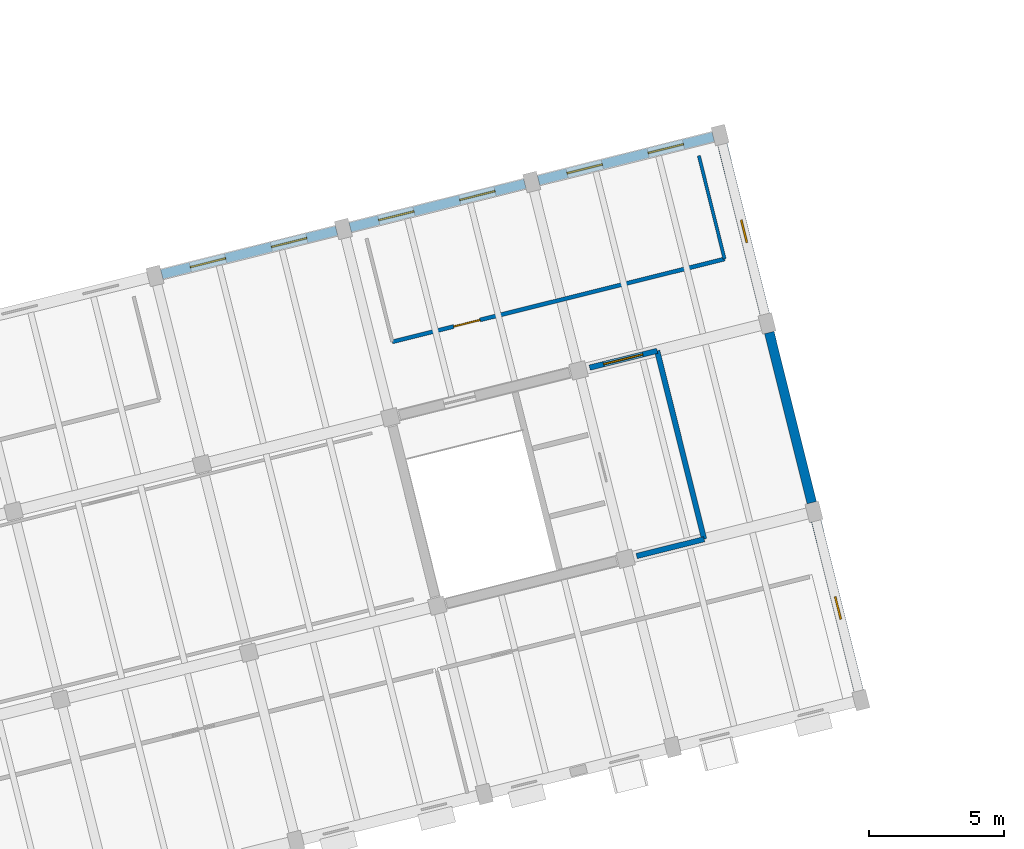
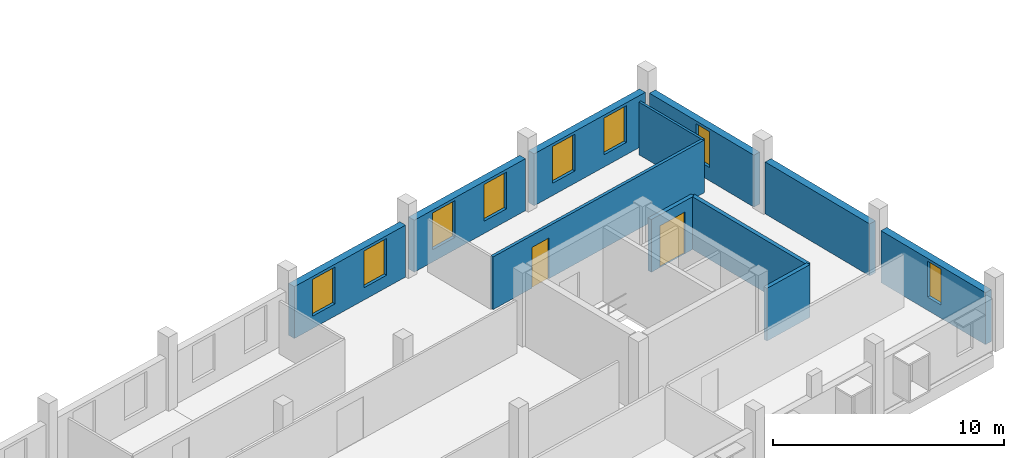
# One storey, part 8 of 14: 11 walls, 8 windows, 2 doors, 10 openings.
"""IFC4 building model written with IfcOpenShell, lengths in metres."""

from ifc_helpers import new_model, si_unit, direction, frame, frame_2d, origin, place, context, subcontext, project, spatial, rectangle, extrude, material, layer, layer_set, type_object, element, fill, save


model = new_model("IFC4")

# Units and contexts
model_context = context("Model", 3, precision=1e-05, world=origin(), true_north=direction((0.0, 1.0)))
body_context = subcontext(model_context, "Body", "Model", "MODEL_VIEW")
ifc_project = project(units=[si_unit("LENGTHUNIT", "METRE"), si_unit("AREAUNIT", "SQUARE_METRE"), si_unit("VOLUMEUNIT", "CUBIC_METRE"), si_unit("PLANEANGLEUNIT", "RADIAN"), si_unit("MASSUNIT", "GRAM", prefix="KILO")], contexts=[model_context])

# Site, building, storey
site_placement = place(None, origin())
site = spatial("IfcSite", under=ifc_project, at=site_placement, CompositionType="ELEMENT")
building_placement = place(site_placement, origin())
building = spatial("IfcBuilding", under=site, at=building_placement, Name="Qiaolan Assembly House", CompositionType="ELEMENT")
storey_placement = place(building_placement, frame((0.0, 0.0, 22.5)))
storey = spatial("IfcBuildingStorey", under=building, at=storey_placement, Name="L05", CompositionType="ELEMENT", Elevation=22.5)

# Wall, openings, windows
ifc_material_1 = material(Name="Honed pale limestone", Category="masonry")
ifc_layer_1 = layer(ifc_material_1, 0.360107421875)
ifc_layer_set_1 = layer_set([ifc_layer_1], Name="Honed pale limestone")
wall_type_1 = type_object("IfcWallType", Name="WAL-EXT-LIMESTONE-360", PredefinedType="SOLIDWALL", material=ifc_layer_set_1)
wall_1_placement = place(storey_placement, frame((72.44091796875, 31.346923828125, 0.0), z_axis=(0.0, 0.0, 1.0), x_axis=(-0.970297004388, -0.241916769314, 0.0)))
wall_1 = element("IfcWall", 1, at=wall_1_placement, inside=storey, type_object=wall_type_1, Name="EW-360 SE North court wall L05 bay 5", PredefinedType="SOLIDWALL", context=body_context, shape_type="SweptSolid", body=[
    extrude(rectangle(XDim=6.683837890625, YDim=0.360107421875, at=frame_2d((3.341796875, 0.0))), origin(), (0.0, 0.0, 1.0), 2.739990234375),
])
opening_1_placement = place(wall_1_placement, frame((1.14208984375, 0.0, 0.64990234375)))
opening_1 = element("IfcOpeningElement", 2, at=opening_1_placement, cuts=wall_1, Name="Opening WN-392", PredefinedType="OPENING", context=body_context, shape_type="SweptSolid", body=[
    extrude(rectangle(XDim=1.35009765625, YDim=1.93994140625, at=frame_2d((0.675048828125, 0.969970703125))), frame((0.0, 0.18994140625, 0.0), z_axis=(0.0, -1.0, 0.0), x_axis=(1.0, 0.0, 0.0)), (0.0, 0.0, 1.0), 0.380126953125),
])
opening_2_placement = place(wall_1_placement, frame((4.241943359375, 0.0, 0.64990234375)))
opening_2 = element("IfcOpeningElement", 3, at=opening_2_placement, cuts=wall_1, Name="Opening WN-393", PredefinedType="OPENING", context=body_context, shape_type="SweptSolid", body=[
    extrude(rectangle(XDim=1.35009765625, YDim=1.93994140625, at=frame_2d((0.675048828125, 0.969970703125))), frame((0.0, 0.18994140625, 0.0), z_axis=(0.0, -1.0, 0.0), x_axis=(1.0, 0.0, 0.0)), (0.0, 0.0, 1.0), 0.380126953125),
])
ifc_material_2 = material(Name="Low-E double insulating glass", Category="glass")
window_type_1 = type_object("IfcWindowType", Name="WIN-COURT-1350x2150", PartitioningType="DOUBLE_PANEL_VERTICAL", PredefinedType="WINDOW", material=ifc_material_2)
window_1_placement = place(opening_1_placement, origin())
window_1 = element("IfcWindow", 4, at=window_1_placement, inside=storey, type_object=window_type_1, Name="SE court window WN-392", OverallHeight=1.93994140625, OverallWidth=1.35009765625, PartitioningType="DOUBLE_PANEL_VERTICAL", PredefinedType="WINDOW", context=body_context, shape_type="SweptSolid", body=[
    extrude(rectangle(XDim=1.35009765625, YDim=1.93994140625, at=frame_2d((0.675048828125, 0.969970703125))), frame((0.0, 0.030029296875, 0.0), z_axis=(0.0, -1.0, 0.0), x_axis=(1.0, 0.0, 0.0)), (0.0, 0.0, 1.0), 0.06005859375),
])
fill(opening_1, window_1)
window_2_placement = place(opening_2_placement, origin())
window_2 = element("IfcWindow", 5, at=window_2_placement, inside=storey, type_object=window_type_1, Name="SE court window WN-393", OverallHeight=1.93994140625, OverallWidth=1.35009765625, PartitioningType="DOUBLE_PANEL_VERTICAL", PredefinedType="WINDOW", context=body_context, shape_type="SweptSolid", body=[
    extrude(rectangle(XDim=1.35009765625, YDim=1.93994140625, at=frame_2d((0.675048828125, 0.969970703125))), frame((0.0, 0.030029296875, 0.0), z_axis=(0.0, -1.0, 0.0), x_axis=(1.0, 0.0, 0.0)), (0.0, 0.0, 1.0), 0.06005859375),
])
fill(opening_2, window_2)

wall_2_placement = place(storey_placement, frame((79.427001953125, 33.0888671875, 0.0), z_axis=(0.0, 0.0, 1.0), x_axis=(-0.970297004388, -0.241916769314, 0.0)))
wall_2 = element("IfcWall", 6, at=wall_2_placement, inside=storey, type_object=wall_type_1, Name="EW-360 SE North court wall L05 bay 6", PredefinedType="SOLIDWALL", context=body_context, shape_type="SweptSolid", body=[
    extrude(rectangle(XDim=6.683837890625, YDim=0.360107421875, at=frame_2d((3.341796875, 0.0))), origin(), (0.0, 0.0, 1.0), 2.739990234375),
])
opening_3_placement = place(wall_2_placement, frame((1.14208984375, 0.0, 0.64990234375)))
opening_3 = element("IfcOpeningElement", 7, at=opening_3_placement, cuts=wall_2, Name="Opening WN-394", PredefinedType="OPENING", context=body_context, shape_type="SweptSolid", body=[
    extrude(rectangle(XDim=1.35009765625, YDim=1.93994140625, at=frame_2d((0.675048828125, 0.969970703125))), frame((0.0, 0.18994140625, 0.0), z_axis=(0.0, -1.0, 0.0), x_axis=(1.0, 0.0, 0.0)), (0.0, 0.0, 1.0), 0.380126953125),
])
opening_4_placement = place(wall_2_placement, frame((4.241943359375, 0.0, 0.64990234375)))
opening_4 = element("IfcOpeningElement", 8, at=opening_4_placement, cuts=wall_2, Name="Opening WN-395", PredefinedType="OPENING", context=body_context, shape_type="SweptSolid", body=[
    extrude(rectangle(XDim=1.35009765625, YDim=1.93994140625, at=frame_2d((0.675048828125, 0.969970703125))), frame((0.0, 0.18994140625, 0.0), z_axis=(0.0, -1.0, 0.0), x_axis=(1.0, 0.0, 0.0)), (0.0, 0.0, 1.0), 0.380126953125),
])
window_3_placement = place(opening_3_placement, origin())
window_3 = element("IfcWindow", 9, at=window_3_placement, inside=storey, type_object=window_type_1, Name="SE court window WN-394", OverallHeight=1.93994140625, OverallWidth=1.35009765625, PartitioningType="DOUBLE_PANEL_VERTICAL", PredefinedType="WINDOW", context=body_context, shape_type="SweptSolid", body=[
    extrude(rectangle(XDim=1.35009765625, YDim=1.93994140625, at=frame_2d((0.675048828125, 0.969970703125))), frame((0.0, 0.030029296875, 0.0), z_axis=(0.0, -1.0, 0.0), x_axis=(1.0, 0.0, 0.0)), (0.0, 0.0, 1.0), 0.06005859375),
])
fill(opening_3, window_3)
window_4_placement = place(opening_4_placement, origin())
window_4 = element("IfcWindow", 10, at=window_4_placement, inside=storey, type_object=window_type_1, Name="SE court window WN-395", OverallHeight=1.93994140625, OverallWidth=1.35009765625, PartitioningType="DOUBLE_PANEL_VERTICAL", PredefinedType="WINDOW", context=body_context, shape_type="SweptSolid", body=[
    extrude(rectangle(XDim=1.35009765625, YDim=1.93994140625, at=frame_2d((0.675048828125, 0.969970703125))), frame((0.0, 0.030029296875, 0.0), z_axis=(0.0, -1.0, 0.0), x_axis=(1.0, 0.0, 0.0)), (0.0, 0.0, 1.0), 0.06005859375),
])
fill(opening_4, window_4)

wall_3_placement = place(storey_placement, frame((86.4130859375, 34.83056640625, 0.0), z_axis=(0.0, 0.0, 1.0), x_axis=(-0.970297004388, -0.241916769314, 0.0)))
wall_3 = element("IfcWall", 11, at=wall_3_placement, inside=storey, type_object=wall_type_1, Name="EW-360 SE North court wall L05 bay 7", PredefinedType="SOLIDWALL", context=body_context, shape_type="SweptSolid", body=[
    extrude(rectangle(XDim=6.683837890625, YDim=0.360107421875, at=frame_2d((3.341796875, 0.0))), origin(), (0.0, 0.0, 1.0), 2.739990234375),
])
opening_5_placement = place(wall_3_placement, frame((1.14208984375, 0.0, 0.64990234375)))
opening_5 = element("IfcOpeningElement", 12, at=opening_5_placement, cuts=wall_3, Name="Opening WN-396", PredefinedType="OPENING", context=body_context, shape_type="SweptSolid", body=[
    extrude(rectangle(XDim=1.35009765625, YDim=1.93994140625, at=frame_2d((0.675048828125, 0.969970703125))), frame((0.0, 0.18994140625, 0.0), z_axis=(0.0, -1.0, 0.0), x_axis=(1.0, 0.0, 0.0)), (0.0, 0.0, 1.0), 0.380126953125),
])
opening_6_placement = place(wall_3_placement, frame((4.241943359375, 0.0, 0.64990234375)))
opening_6 = element("IfcOpeningElement", 13, at=opening_6_placement, cuts=wall_3, Name="Opening WN-397", PredefinedType="OPENING", context=body_context, shape_type="SweptSolid", body=[
    extrude(rectangle(XDim=1.35009765625, YDim=1.93994140625, at=frame_2d((0.675048828125, 0.969970703125))), frame((0.0, 0.18994140625, 0.0), z_axis=(0.0, -1.0, 0.0), x_axis=(1.0, 0.0, 0.0)), (0.0, 0.0, 1.0), 0.380126953125),
])
window_5_placement = place(opening_5_placement, origin())
window_5 = element("IfcWindow", 14, at=window_5_placement, inside=storey, type_object=window_type_1, Name="SE court window WN-396", OverallHeight=1.93994140625, OverallWidth=1.35009765625, PartitioningType="DOUBLE_PANEL_VERTICAL", PredefinedType="WINDOW", context=body_context, shape_type="SweptSolid", body=[
    extrude(rectangle(XDim=1.35009765625, YDim=1.93994140625, at=frame_2d((0.675048828125, 0.969970703125))), frame((0.0, 0.030029296875, 0.0), z_axis=(0.0, -1.0, 0.0), x_axis=(1.0, 0.0, 0.0)), (0.0, 0.0, 1.0), 0.06005859375),
])
fill(opening_5, window_5)
window_6_placement = place(opening_6_placement, origin())
window_6 = element("IfcWindow", 15, at=window_6_placement, inside=storey, type_object=window_type_1, Name="SE court window WN-397", OverallHeight=1.93994140625, OverallWidth=1.35009765625, PartitioningType="DOUBLE_PANEL_VERTICAL", PredefinedType="WINDOW", context=body_context, shape_type="SweptSolid", body=[
    extrude(rectangle(XDim=1.35009765625, YDim=1.93994140625, at=frame_2d((0.675048828125, 0.969970703125))), frame((0.0, 0.030029296875, 0.0), z_axis=(0.0, -1.0, 0.0), x_axis=(1.0, 0.0, 0.0)), (0.0, 0.0, 1.0), 0.06005859375),
])
fill(opening_6, window_6)

# Wall, opening, window
wall_4_placement = place(storey_placement, frame((91.804931640625, 14.2724609375, 0.0), z_axis=(0.0, 0.0, 1.0), x_axis=(-0.241926152475, 0.970294664908, 0.0)))
wall_4 = element("IfcWall", 16, at=wall_4_placement, inside=storey, type_object=wall_type_1, Name="SE East wall L05-1", PredefinedType="SOLIDWALL", context=body_context, shape_type="SweptSolid", body=[
    extrude(rectangle(XDim=6.50390625, YDim=0.360107421875, at=frame_2d((3.251953125, 0.0))), origin(), (0.0, 0.0, 1.0), 2.739990234375),
])
opening_7_placement = place(wall_4_placement, frame((2.751953125, 0.0, 0.699951171875)))
opening_7 = element("IfcOpeningElement", 17, at=opening_7_placement, cuts=wall_4, Name="Opening WN-398", PredefinedType="OPENING", context=body_context, shape_type="SweptSolid", body=[
    extrude(rectangle(XDim=0.85009765625, YDim=1.889892578125, at=frame_2d((0.425048828125, 0.94482421875))), frame((0.0, 0.18994140625, 0.0), z_axis=(0.0, -1.0, 0.0), x_axis=(1.0, 0.0, 0.0)), (0.0, 0.0, 1.0), 0.380126953125),
])
window_type_2 = type_object("IfcWindowType", Name="WIN-END-850x2200", PartitioningType="SINGLE_PANEL", PredefinedType="WINDOW", material=ifc_material_2)
window_7_placement = place(opening_7_placement, origin())
window_7 = element("IfcWindow", 18, at=window_7_placement, inside=storey, type_object=window_type_2, Name="SE East window WN-398", OverallHeight=1.889892578125, OverallWidth=0.85009765625, PartitioningType="SINGLE_PANEL", PredefinedType="WINDOW", context=body_context, shape_type="SweptSolid", body=[
    extrude(rectangle(XDim=0.85009765625, YDim=1.889892578125, at=frame_2d((0.425048828125, 0.94482421875))), frame((0.0, 0.030029296875, 0.0), z_axis=(0.0, -1.0, 0.0), x_axis=(1.0, 0.0, 0.0)), (0.0, 0.0, 1.0), 0.06005859375),
])
fill(opening_7, window_7)

# Wall
wall_5_placement = place(storey_placement, frame((90.06298828125, 21.258544921875, 0.0), z_axis=(0.0, 0.0, 1.0), x_axis=(-0.241926152475, 0.970294664908, 0.0)))
element("IfcWall", 19, at=wall_5_placement, inside=storey, type_object=wall_type_1, Name="SE East wall L05-2", PredefinedType="SOLIDWALL", context=body_context, shape_type="SweptSolid", body=[
    extrude(rectangle(XDim=6.50390625, YDim=0.360107421875, at=frame_2d((3.251953125, 0.0))), origin(), (0.0, 0.0, 1.0), 2.739990234375),
])

# Wall, opening, window
wall_6_placement = place(storey_placement, frame((88.3212890625, 28.24462890625, 0.0), z_axis=(0.0, 0.0, 1.0), x_axis=(-0.241926152475, 0.970294664908, 0.0)))
wall_6 = element("IfcWall", 20, at=wall_6_placement, inside=storey, type_object=wall_type_1, Name="SE East wall L05-3", PredefinedType="SOLIDWALL", context=body_context, shape_type="SweptSolid", body=[
    extrude(rectangle(XDim=6.50390625, YDim=0.360107421875, at=frame_2d((3.251953125, 0.0))), origin(), (0.0, 0.0, 1.0), 2.739990234375),
])
opening_8_placement = place(wall_6_placement, frame((2.751953125, 0.0, 0.699951171875)))
opening_8 = element("IfcOpeningElement", 21, at=opening_8_placement, cuts=wall_6, Name="Opening WN-399", PredefinedType="OPENING", context=body_context, shape_type="SweptSolid", body=[
    extrude(rectangle(XDim=0.85009765625, YDim=1.889892578125, at=frame_2d((0.425048828125, 0.94482421875))), frame((0.0, 0.18994140625, 0.0), z_axis=(0.0, -1.0, 0.0), x_axis=(1.0, 0.0, 0.0)), (0.0, 0.0, 1.0), 0.380126953125),
])
window_8_placement = place(opening_8_placement, origin())
window_8 = element("IfcWindow", 22, at=window_8_placement, inside=storey, type_object=window_type_2, Name="SE East window WN-399", OverallHeight=1.889892578125, OverallWidth=0.85009765625, PartitioningType="SINGLE_PANEL", PredefinedType="WINDOW", context=body_context, shape_type="SweptSolid", body=[
    extrude(rectangle(XDim=0.85009765625, YDim=1.889892578125, at=frame_2d((0.425048828125, 0.94482421875))), frame((0.0, 0.030029296875, 0.0), z_axis=(0.0, -1.0, 0.0), x_axis=(1.0, 0.0, 0.0)), (0.0, 0.0, 1.0), 0.06005859375),
])
fill(opening_8, window_8)

# Walls
ifc_material_3 = material(Name="Concrete C35/45", Category="concrete")
ifc_layer_2 = layer(ifc_material_3, 0.199951171875)
ifc_layer_set_2 = layer_set([ifc_layer_2], Name="Concrete C35/45")
wall_type_2 = type_object("IfcWallType", Name="WAL-LOBBY-200", PredefinedType="PARTITIONING", material=ifc_layer_set_2)
wall_7_placement = place(storey_placement, frame((86.072021484375, 19.90478515625, 0.0), z_axis=(0.0, 0.0, 1.0), x_axis=(-0.241937193493, 0.970291911955, 0.0)))
element("IfcWall", 23, at=wall_7_placement, inside=storey, type_object=wall_type_2, Name="Firefighting lift lobby east wall CORE-D L05", PredefinedType="PARTITIONING", context=body_context, shape_type="SweptSolid", body=[
    extrude(rectangle(XDim=7.199951171875, YDim=0.199951171875, at=frame_2d((3.60009765625, 0.0))), origin(), (0.0, 0.0, 1.0), 2.780029296875),
])
wall_8_placement = place(storey_placement, frame((83.568603515625, 19.280517578125, 0.0), z_axis=(0.0, 0.0, 1.0), x_axis=(0.970287048366, 0.241956698135, 0.0)))
element("IfcWall", 24, at=wall_8_placement, inside=storey, type_object=wall_type_2, Name="Firefighting lift lobby south wall CORE-D L05", PredefinedType="PARTITIONING", context=body_context, shape_type="SweptSolid", body=[
    extrude(rectangle(XDim=2.580078125, YDim=0.199951171875, at=frame_2d((1.2900390625, 0.0))), origin(), (0.0, 0.0, 1.0), 2.780029296875),
])

# Wall, opening, door
wall_9_placement = place(storey_placement, frame((84.330078125, 26.890869140625, 0.0), z_axis=(0.0, 0.0, 1.0), x_axis=(-0.970309259708, -0.2418676095, 0.0)))
wall_9 = element("IfcWall", 25, at=wall_9_placement, inside=storey, type_object=wall_type_2, Name="Firefighting lift lobby north wall CORE-D L05", PredefinedType="PARTITIONING", context=body_context, shape_type="SweptSolid", body=[
    extrude(rectangle(XDim=2.580078125, YDim=0.199951171875, at=frame_2d((1.2900390625, 0.0))), origin(), (0.0, 0.0, 1.0), 2.780029296875),
])
opening_9_placement = place(wall_9_placement, frame((0.550048828125, 0.0, 0.0)))
opening_9 = element("IfcOpeningElement", 26, at=opening_9_placement, cuts=wall_9, Name="Opening FD-106", PredefinedType="OPENING", context=body_context, shape_type="SweptSolid", body=[
    extrude(rectangle(XDim=1.5, YDim=2.199951171875, at=frame_2d((0.75, 1.10009765625))), frame((0.0, 0.10986328125, 0.0), z_axis=(0.0, -1.0, 0.0), x_axis=(1.0, 0.0, 0.0)), (0.0, 0.0, 1.0), 0.219970703125),
])
ifc_material_4 = material(Name="Acoustic oak panelling")
door_type_1 = type_object("IfcDoorType", Name="DOR-LOBBY-FD60-1500", OperationType="DOUBLE_DOOR_SINGLE_SWING", PredefinedType="DOOR", material=ifc_material_4)
door_1_placement = place(opening_9_placement, frame((1.5, 0.0, 0.0), z_axis=(0.0, 0.0, 1.0), x_axis=(-1.0, 0.0, 0.0)))
door_1 = element("IfcDoor", 27, at=door_1_placement, inside=storey, type_object=door_type_1, Name="Lobby corridor fire door FD-106", OperationType="DOUBLE_DOOR_SINGLE_SWING", OverallHeight=2.199951171875, OverallWidth=1.5, PredefinedType="DOOR", context=body_context, shape_type="SweptSolid", body=[
    extrude(rectangle(XDim=1.5, YDim=2.199951171875, at=frame_2d((0.75, 1.10009765625))), frame((0.0, 0.02490234375, 0.0), z_axis=(0.0, -1.0, 0.0), x_axis=(1.0, 0.0, 0.0)), (0.0, 0.0, 1.0), 0.050048828125),
])
fill(opening_9, door_1)

# Wall
ifc_material_5 = material(Name="Gypsum plasterboard partition")
ifc_layer_3 = layer(ifc_material_5, 0.1201171875)
ifc_layer_set_3 = layer_set([ifc_layer_3], Name="Gypsum plasterboard partition")
wall_type_3 = type_object("IfcWallType", Name="WAL-PART-120", PredefinedType="PARTITIONING", material=ifc_layer_set_3)
wall_10_placement = place(storey_placement, frame((85.874755859375, 34.129638671875, 0.0), z_axis=(0.0, 0.0, 1.0), x_axis=(0.241910239337, -0.970298632434, 0.0)))
element("IfcWall", 28, at=wall_10_placement, inside=storey, type_object=wall_type_3, Name="Boulevard Wing Project Office L05 east wall", PredefinedType="PARTITIONING", context=body_context, shape_type="SweptSolid", body=[
    extrude(rectangle(XDim=3.9501953125, YDim=0.1201171875, at=frame_2d((1.97509765625, 0.0))), origin(), (0.0, 0.0, 1.0), 2.780029296875),
])

# Wall, opening, door
ifc_layer_4 = layer(ifc_material_5, 0.14990234375)
ifc_layer_set_4 = layer_set([ifc_layer_4], Name="Gypsum plasterboard partition")
wall_type_4 = type_object("IfcWallType", Name="WAL-PART-150", PredefinedType="PARTITIONING", material=ifc_layer_set_4)
wall_11_placement = place(storey_placement, frame((74.507568359375, 27.224609375, 0.0), z_axis=(0.0, 0.0, 1.0), x_axis=(0.970298350757, 0.241911369139, 0.0)))
wall_11 = element("IfcWall", 29, at=wall_11_placement, inside=storey, type_object=wall_type_4, Name="Boulevard Wing Project Office L05 south wall", PredefinedType="PARTITIONING", context=body_context, shape_type="SweptSolid", body=[
    extrude(rectangle(XDim=12.699951171875, YDim=0.14990234375, at=frame_2d((6.35009765625, 0.0))), origin(), (0.0, 0.0, 1.0), 2.780029296875),
])
opening_10_placement = place(wall_11_placement, frame((2.35009765625, 0.0, 0.0)))
opening_10 = element("IfcOpeningElement", 30, at=opening_10_placement, cuts=wall_11, Name="Opening SD-273", PredefinedType="OPENING", context=body_context, shape_type="SweptSolid", body=[
    extrude(rectangle(XDim=1.0, YDim=2.14990234375, at=frame_2d((0.5, 1.074951171875))), frame((0.0, 0.0849609375, 0.0), z_axis=(0.0, -1.0, 0.0), x_axis=(1.0, 0.0, 0.0)), (0.0, 0.0, 1.0), 0.169921875),
])
door_type_2 = type_object("IfcDoorType", Name="DOR-OFF-SGL-1000", OperationType="NOTDEFINED", PredefinedType="DOOR", material=ifc_material_4)
door_2_placement = place(opening_10_placement, origin())
door_2 = element("IfcDoor", 31, at=door_2_placement, inside=storey, type_object=door_type_2, Name="Boulevard Wing Project Office L05 door SD-273", OperationType="SINGLE_SWING_LEFT", OverallHeight=2.14990234375, OverallWidth=1.0, PredefinedType="DOOR", context=body_context, shape_type="SweptSolid", body=[
    extrude(rectangle(XDim=1.0, YDim=2.14990234375, at=frame_2d((0.5, 1.074951171875))), frame((0.0, 0.02490234375, 0.0), z_axis=(0.0, -1.0, 0.0), x_axis=(1.0, 0.0, 0.0)), (0.0, 0.0, 1.0), 0.050048828125),
])
fill(opening_10, door_2)

save(model, "model.ifc")
